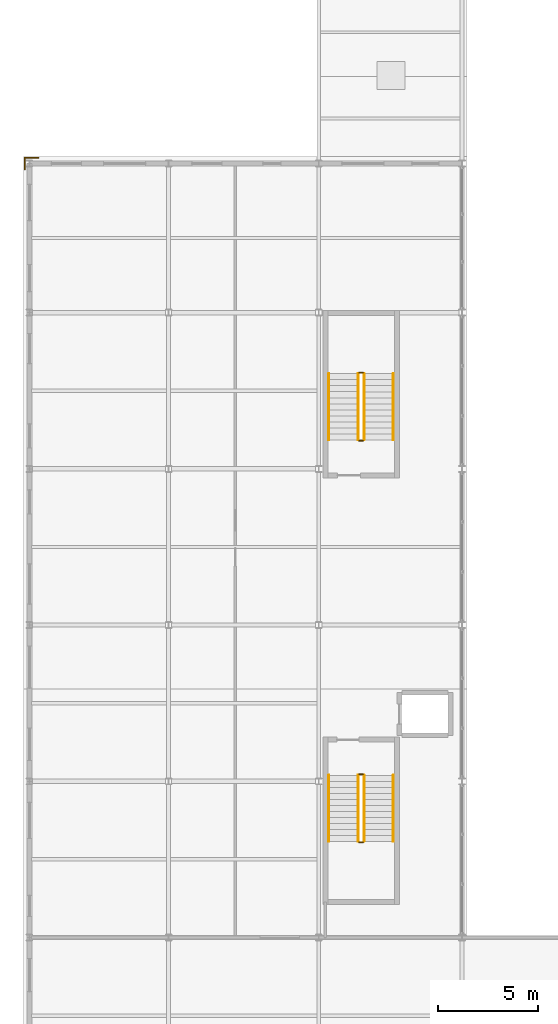
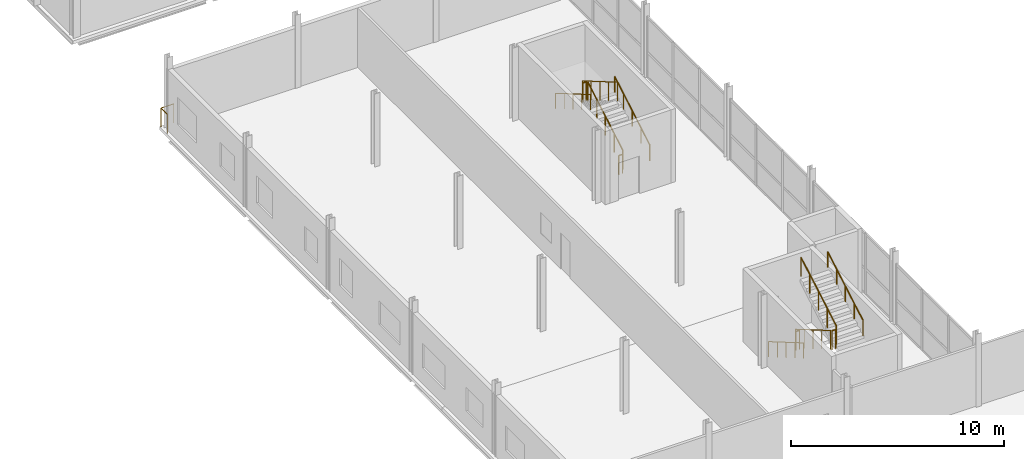
# One storey, part 58 of 65: 13 railings.
"""IFC4 building model written with IfcOpenShell, lengths in metres."""

from ifc_helpers import new_model, si_unit, direction, frame, origin, origin_2d, place, context, subcontext, project, spatial, circle, extrude, material, type_object, element, save


model = new_model("IFC4")

# Units and contexts
model_context = context("Model", 3, precision=1e-05, world=origin(), true_north=direction((0.0, 1.0)))
body_context = subcontext(model_context, "Body", "Model", "MODEL_VIEW")
ifc_project = project(units=[si_unit("LENGTHUNIT", "METRE"), si_unit("AREAUNIT", "SQUARE_METRE"), si_unit("VOLUMEUNIT", "CUBIC_METRE"), si_unit("PLANEANGLEUNIT", "RADIAN"), si_unit("MASSUNIT", "GRAM", prefix="KILO")], contexts=[model_context])

# Site, building, storey
site_placement = place(None, origin())
site = spatial("IfcSite", under=ifc_project, at=site_placement, CompositionType="ELEMENT")
building_placement = place(site_placement, origin())
building = spatial("IfcBuilding", under=site, at=building_placement, Name="Quillay Park Conservatory", CompositionType="ELEMENT")
storey_placement = place(building_placement, frame((0.0, 0.0, 14.10009765625)))
storey = spatial("IfcBuildingStorey", under=building, at=storey_placement, Name="L03", CompositionType="ELEMENT", Elevation=14.10009765625)

# Railings
ifc_material_1 = material(Name="Steel S355J2H", Category="steel")
railing_type_1 = type_object("IfcRailingType", Name="STAIR WALL HANDRAIL 900", PredefinedType="HANDRAIL", material=ifc_material_1)
railing_1_placement = place(storey_placement, frame((15.5, 23.699951171875, 0.1748046875)))
element("IfcRailing", 1, at=railing_1_placement, inside=storey, type_object=railing_type_1, Name="L03 ST-V1 stair handrail 1", PredefinedType="HANDRAIL", context=body_context, shape_type="SweptSolid", body=[
    extrude(circle(Radius=0.02392578125, at=origin_2d()), frame((0.0, 0.0, 0.8759765625), z_axis=(0.0, -0.863776583165, 0.503874998761), x_axis=(1.0, 0.0, 0.0)), (0.0, 0.0, 1.0), 3.820556640625),
    extrude(circle(Radius=0.02099609375, at=origin_2d()), origin(), (0.0, 0.0, 1.0), 0.851806640625),
    extrude(circle(Radius=0.02099609375, at=origin_2d()), frame((0.0, -0.824951171875, 0.481201171875)), (0.0, 0.0, 1.0), 0.851806640625),
    extrude(circle(Radius=0.02099609375, at=origin_2d()), frame((0.0, -1.64990234375, 0.96240234375)), (0.0, 0.0, 1.0), 0.851806640625),
    extrude(circle(Radius=0.02099609375, at=origin_2d()), frame((0.0, -2.47509765625, 1.44384765625)), (0.0, 0.0, 1.0), 0.851806640625),
    extrude(circle(Radius=0.02099609375, at=origin_2d()), frame((0.0, -3.300048828125, 1.925048828125)), (0.0, 0.0, 1.0), 0.851806640625),
])
for number, where, name in (
    (2, (18.719970703125, 20.39990234375, 2.27490234375), "L03 ST-V1 stair handrail 2"),
    (3, (18.719970703125, 40.449951171875, 0.1748046875), "L03 ST-V2 stair handrail 1"),
):
    element("IfcRailing", number, at=place(storey_placement, frame(where)), inside=storey, type_object=railing_type_1, Name=name, PredefinedType="HANDRAIL", context=body_context, shape_type="SweptSolid", body=[
        extrude(circle(Radius=0.02392578125, at=origin_2d()), frame((0.0, 0.0, 0.8759765625), z_axis=(0.0, 0.863776583165, 0.503874998761), x_axis=(-1.0, 0.0, 0.0)), (0.0, 0.0, 1.0), 3.820556640625),
        extrude(circle(Radius=0.02099609375, at=origin_2d()), origin(), (0.0, 0.0, 1.0), 0.851806640625),
        extrude(circle(Radius=0.02099609375, at=origin_2d()), frame((0.0, 0.824951171875, 0.481201171875)), (0.0, 0.0, 1.0), 0.851806640625),
        extrude(circle(Radius=0.02099609375, at=origin_2d()), frame((0.0, 1.64990234375, 0.96240234375)), (0.0, 0.0, 1.0), 0.851806640625),
        extrude(circle(Radius=0.02099609375, at=origin_2d()), frame((0.0, 2.47509765625, 1.44384765625)), (0.0, 0.0, 1.0), 0.851806640625),
        extrude(circle(Radius=0.02099609375, at=origin_2d()), frame((0.0, 3.300048828125, 1.925048828125)), (0.0, 0.0, 1.0), 0.851806640625),
    ])
railing_2_placement = place(storey_placement, frame((15.5, 43.75, 2.27490234375)))
element("IfcRailing", 4, at=railing_2_placement, inside=storey, type_object=railing_type_1, Name="L03 ST-V2 stair handrail 2", PredefinedType="HANDRAIL", context=body_context, shape_type="SweptSolid", body=[
    extrude(circle(Radius=0.02392578125, at=origin_2d()), frame((0.0, 0.0, 0.8759765625), z_axis=(0.0, -0.863776583165, 0.503874998761), x_axis=(1.0, 0.0, 0.0)), (0.0, 0.0, 1.0), 3.820556640625),
    extrude(circle(Radius=0.02099609375, at=origin_2d()), origin(), (0.0, 0.0, 1.0), 0.851806640625),
    extrude(circle(Radius=0.02099609375, at=origin_2d()), frame((0.0, -0.824951171875, 0.481201171875)), (0.0, 0.0, 1.0), 0.851806640625),
    extrude(circle(Radius=0.02099609375, at=origin_2d()), frame((0.0, -1.64990234375, 0.96240234375)), (0.0, 0.0, 1.0), 0.851806640625),
    extrude(circle(Radius=0.02099609375, at=origin_2d()), frame((0.0, -2.47509765625, 1.44384765625)), (0.0, 0.0, 1.0), 0.851806640625),
    extrude(circle(Radius=0.02099609375, at=origin_2d()), frame((0.0, -3.300048828125, 1.925048828125)), (0.0, 0.0, 1.0), 0.851806640625),
])
ifc_material_2 = material(Name="Steel S355J2H", Category="steel")
railing_type_2 = type_object("IfcRailingType", Name="STAIR WELL GUARDRAIL 1100", PredefinedType="GUARDRAIL", material=ifc_material_2)
railing_3_placement = place(storey_placement, frame((16.9599609375, 23.699951171875, 0.1748046875)))
element("IfcRailing", 5, at=railing_3_placement, inside=storey, type_object=railing_type_2, Name="L03 ST-V1 stair guard 1", PredefinedType="GUARDRAIL", context=body_context, shape_type="SweptSolid", body=[
    extrude(circle(Radius=0.02392578125, at=origin_2d()), frame((0.0, 0.0, 1.076171875), z_axis=(0.0, -0.863776583165, 0.503874998761), x_axis=(1.0, 0.0, 0.0)), (0.0, 0.0, 1.0), 3.820556640625),
    extrude(circle(Radius=0.02099609375, at=origin_2d()), origin(), (0.0, 0.0, 1.0), 1.052001953125),
    extrude(circle(Radius=0.02099609375, at=origin_2d()), frame((0.0, -0.824951171875, 0.481201171875)), (0.0, 0.0, 1.0), 1.052001953125),
    extrude(circle(Radius=0.02099609375, at=origin_2d()), frame((0.0, -1.64990234375, 0.96240234375)), (0.0, 0.0, 1.0), 1.052001953125),
    extrude(circle(Radius=0.02099609375, at=origin_2d()), frame((0.0, -2.47509765625, 1.44384765625)), (0.0, 0.0, 1.0), 1.052001953125),
    extrude(circle(Radius=0.02099609375, at=origin_2d()), frame((0.0, -3.300048828125, 1.925048828125)), (0.0, 0.0, 1.0), 1.052001953125),
])
railing_4_placement = place(storey_placement, frame((17.010009765625, 20.35009765625, 2.099853515625)))
element("IfcRailing", 6, at=railing_4_placement, inside=storey, type_object=railing_type_2, Name="L03 ST-V1 stair guard 2", PredefinedType="GUARDRAIL", context=body_context, shape_type="SweptSolid", body=[
    extrude(circle(Radius=0.02392578125, at=origin_2d()), frame((0.0, 0.0, 1.076171875), z_axis=(1.0, 0.0, 0.0), x_axis=(0.0, 1.0, 0.0)), (0.0, 0.0, 1.0), 0.199951171875),
    extrude(circle(Radius=0.02099609375, at=origin_2d()), origin(), (0.0, 0.0, 1.0), 1.052001953125),
    extrude(circle(Radius=0.02099609375, at=origin_2d()), frame((0.199951171875, 0.0, 0.0)), (0.0, 0.0, 1.0), 1.052001953125),
])
railing_5_placement = place(storey_placement, frame((17.260009765625, 20.39990234375, 2.27490234375)))
element("IfcRailing", 7, at=railing_5_placement, inside=storey, type_object=railing_type_2, Name="L03 ST-V1 stair guard 3", PredefinedType="GUARDRAIL", context=body_context, shape_type="SweptSolid", body=[
    extrude(circle(Radius=0.02392578125, at=origin_2d()), frame((0.0, 0.0, 1.076171875), z_axis=(0.0, 0.863776583165, 0.503874998761), x_axis=(-1.0, 0.0, 0.0)), (0.0, 0.0, 1.0), 3.820556640625),
    extrude(circle(Radius=0.02099609375, at=origin_2d()), origin(), (0.0, 0.0, 1.0), 1.052001953125),
    extrude(circle(Radius=0.02099609375, at=origin_2d()), frame((0.0, 0.824951171875, 0.481201171875)), (0.0, 0.0, 1.0), 1.052001953125),
    extrude(circle(Radius=0.02099609375, at=origin_2d()), frame((0.0, 1.64990234375, 0.96240234375)), (0.0, 0.0, 1.0), 1.052001953125),
    extrude(circle(Radius=0.02099609375, at=origin_2d()), frame((0.0, 2.47509765625, 1.44384765625)), (0.0, 0.0, 1.0), 1.052001953125),
    extrude(circle(Radius=0.02099609375, at=origin_2d()), frame((0.0, 3.300048828125, 1.925048828125)), (0.0, 0.0, 1.0), 1.052001953125),
])
railing_6_placement = place(storey_placement, frame((17.010009765625, 23.75, 0.0)))
element("IfcRailing", 8, at=railing_6_placement, inside=storey, type_object=railing_type_2, Name="L03 ST-V1 stair guard 4", PredefinedType="GUARDRAIL", context=body_context, shape_type="SweptSolid", body=[
    extrude(circle(Radius=0.02392578125, at=origin_2d()), frame((0.0, 0.0, 1.076171875), z_axis=(1.0, 0.0, 0.0), x_axis=(0.0, 1.0, 0.0)), (0.0, 0.0, 1.0), 0.199951171875),
    extrude(circle(Radius=0.02099609375, at=origin_2d()), origin(), (0.0, 0.0, 1.0), 1.052001953125),
    extrude(circle(Radius=0.02099609375, at=origin_2d()), frame((0.199951171875, 0.0, 0.0)), (0.0, 0.0, 1.0), 1.052001953125),
])
railing_7_placement = place(storey_placement, frame((17.260009765625, 40.449951171875, 0.1748046875)))
element("IfcRailing", 9, at=railing_7_placement, inside=storey, type_object=railing_type_2, Name="L03 ST-V2 stair guard 1", PredefinedType="GUARDRAIL", context=body_context, shape_type="SweptSolid", body=[
    extrude(circle(Radius=0.02392578125, at=origin_2d()), frame((0.0, 0.0, 1.076171875), z_axis=(0.0, 0.863776583165, 0.503874998761), x_axis=(-1.0, 0.0, 0.0)), (0.0, 0.0, 1.0), 3.820556640625),
    extrude(circle(Radius=0.02099609375, at=origin_2d()), origin(), (0.0, 0.0, 1.0), 1.052001953125),
    extrude(circle(Radius=0.02099609375, at=origin_2d()), frame((0.0, 0.824951171875, 0.481201171875)), (0.0, 0.0, 1.0), 1.052001953125),
    extrude(circle(Radius=0.02099609375, at=origin_2d()), frame((0.0, 1.64990234375, 0.96240234375)), (0.0, 0.0, 1.0), 1.052001953125),
    extrude(circle(Radius=0.02099609375, at=origin_2d()), frame((0.0, 2.47509765625, 1.44384765625)), (0.0, 0.0, 1.0), 1.052001953125),
    extrude(circle(Radius=0.02099609375, at=origin_2d()), frame((0.0, 3.300048828125, 1.925048828125)), (0.0, 0.0, 1.0), 1.052001953125),
])
railing_8_placement = place(storey_placement, frame((17.2099609375, 43.800048828125, 2.099853515625)))
element("IfcRailing", 10, at=railing_8_placement, inside=storey, type_object=railing_type_2, Name="L03 ST-V2 stair guard 2", PredefinedType="GUARDRAIL", context=body_context, shape_type="SweptSolid", body=[
    extrude(circle(Radius=0.02392578125, at=origin_2d()), frame((0.0, 0.0, 1.076171875), z_axis=(-1.0, 0.0, 0.0), x_axis=(0.0, -1.0, 0.0)), (0.0, 0.0, 1.0), 0.199951171875),
    extrude(circle(Radius=0.02099609375, at=origin_2d()), origin(), (0.0, 0.0, 1.0), 1.052001953125),
    extrude(circle(Radius=0.02099609375, at=origin_2d()), frame((-0.199951171875, 0.0, 0.0)), (0.0, 0.0, 1.0), 1.052001953125),
])
railing_9_placement = place(storey_placement, frame((16.9599609375, 43.75, 2.27490234375)))
element("IfcRailing", 11, at=railing_9_placement, inside=storey, type_object=railing_type_2, Name="L03 ST-V2 stair guard 3", PredefinedType="GUARDRAIL", context=body_context, shape_type="SweptSolid", body=[
    extrude(circle(Radius=0.02392578125, at=origin_2d()), frame((0.0, 0.0, 1.076171875), z_axis=(0.0, -0.863776583165, 0.503874998761), x_axis=(1.0, 0.0, 0.0)), (0.0, 0.0, 1.0), 3.820556640625),
    extrude(circle(Radius=0.02099609375, at=origin_2d()), origin(), (0.0, 0.0, 1.0), 1.052001953125),
    extrude(circle(Radius=0.02099609375, at=origin_2d()), frame((0.0, -0.824951171875, 0.481201171875)), (0.0, 0.0, 1.0), 1.052001953125),
    extrude(circle(Radius=0.02099609375, at=origin_2d()), frame((0.0, -1.64990234375, 0.96240234375)), (0.0, 0.0, 1.0), 1.052001953125),
    extrude(circle(Radius=0.02099609375, at=origin_2d()), frame((0.0, -2.47509765625, 1.44384765625)), (0.0, 0.0, 1.0), 1.052001953125),
    extrude(circle(Radius=0.02099609375, at=origin_2d()), frame((0.0, -3.300048828125, 1.925048828125)), (0.0, 0.0, 1.0), 1.052001953125),
])
railing_10_placement = place(storey_placement, frame((17.2099609375, 40.39990234375, 0.0)))
element("IfcRailing", 12, at=railing_10_placement, inside=storey, type_object=railing_type_2, Name="L03 ST-V2 stair guard 4", PredefinedType="GUARDRAIL", context=body_context, shape_type="SweptSolid", body=[
    extrude(circle(Radius=0.02392578125, at=origin_2d()), frame((0.0, 0.0, 1.076171875), z_axis=(-1.0, 0.0, 0.0), x_axis=(0.0, -1.0, 0.0)), (0.0, 0.0, 1.0), 0.199951171875),
    extrude(circle(Radius=0.02099609375, at=origin_2d()), origin(), (0.0, 0.0, 1.0), 1.052001953125),
    extrude(circle(Radius=0.02099609375, at=origin_2d()), frame((-0.199951171875, 0.0, 0.0)), (0.0, 0.0, 1.0), 1.052001953125),
])
ifc_material_3 = material(Name="Steel S355J2H", Category="steel")
railing_type_3 = type_object("IfcRailingType", Name="TERRACE PERIMETER GUARDRAIL 1100", PredefinedType="GUARDRAIL", material=ifc_material_3)
railing_11_placement = place(storey_placement, frame((0.31005859375, 53.949951171875, 0.0)))
element("IfcRailing", 13, at=railing_11_placement, inside=storey, type_object=railing_type_3, Name="L03 Perimeter Safety Guardrail 046", PredefinedType="GUARDRAIL", context=body_context, shape_type="SweptSolid", body=[
    extrude(circle(Radius=0.02392578125, at=origin_2d()), frame((0.0, 0.0, 1.076171875), z_axis=(0.0, 1.0, 0.0), x_axis=(-1.0, 0.0, 0.0)), (0.0, 0.0, 1.0), 0.590087890625),
    extrude(circle(Radius=0.02392578125, at=origin_2d()), frame((0.0, 0.590087890625, 1.076171875), z_axis=(1.0, 0.0, 0.0), x_axis=(0.0, 1.0, 0.0)), (0.0, 0.0, 1.0), 0.68994140625),
    extrude(circle(Radius=0.02099609375, at=origin_2d()), origin(), (0.0, 0.0, 1.0), 1.052001953125),
    extrude(circle(Radius=0.02099609375, at=origin_2d()), frame((0.0, 0.590087890625, 0.0)), (0.0, 0.0, 1.0), 1.052001953125),
    extrude(circle(Radius=0.02099609375, at=origin_2d()), frame((0.68994140625, 0.590087890625, 0.0)), (0.0, 0.0, 1.0), 1.052001953125),
])

save(model, "model.ifc")
